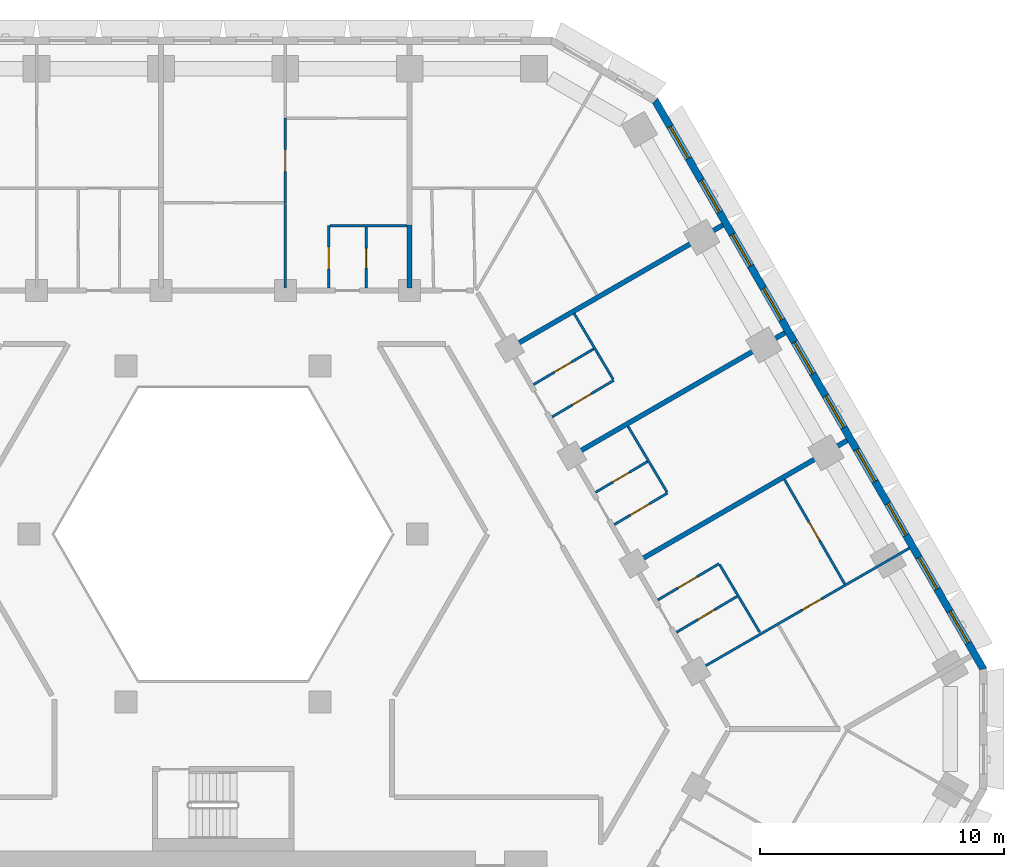
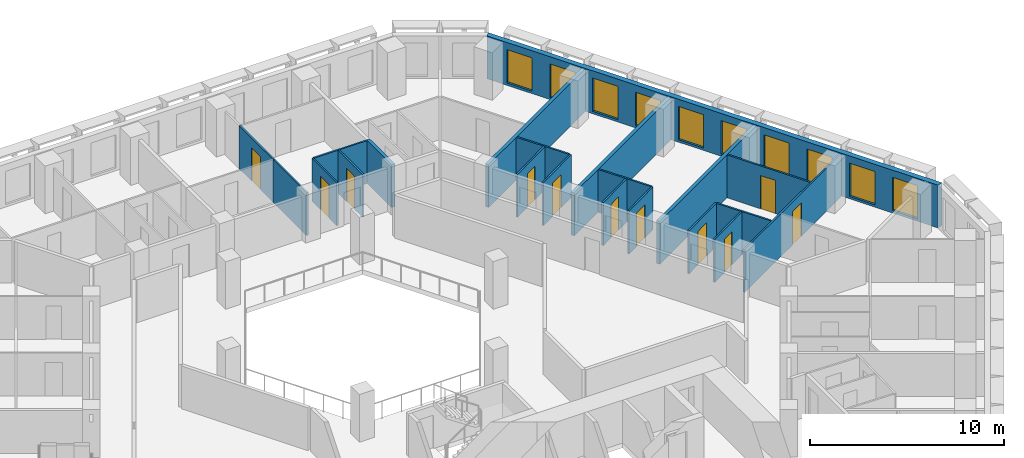
# One storey, part 11 of 21: 21 walls, 11 doors, 10 windows, 21 openings.
"""IFC4 building model written with IfcOpenShell, lengths in metres."""

from ifc_helpers import new_model, si_unit, direction, frame, frame_2d, origin, place, context, subcontext, project, spatial, polyline, rectangle, outline, extrude, material, layer, layer_set, type_object, element, fill, save


model = new_model("IFC4")

# Units and contexts
model_context = context("Model", 3, precision=1e-05, world=origin(), true_north=direction((0.0, 1.0)))
body_context = subcontext(model_context, "Body", "Model", "MODEL_VIEW")
ifc_project = project(units=[si_unit("LENGTHUNIT", "METRE"), si_unit("AREAUNIT", "SQUARE_METRE"), si_unit("VOLUMEUNIT", "CUBIC_METRE"), si_unit("PLANEANGLEUNIT", "RADIAN"), si_unit("MASSUNIT", "GRAM", prefix="KILO")], contexts=[model_context])

# Site, building, storey
site_placement = place(None, origin())
site = spatial("IfcSite", under=ifc_project, at=site_placement, CompositionType="ELEMENT")
building_placement = place(site_placement, origin())
building = spatial("IfcBuilding", under=site, at=building_placement, Name="Beryl Residences", CompositionType="ELEMENT")
storey_placement = place(building_placement, frame((0.0, 0.0, 47.39990234375)))
storey = spatial("IfcBuildingStorey", under=building, at=storey_placement, Name="L14", CompositionType="ELEMENT", Elevation=47.39990234375)

# Wall, openings, windows
ifc_material_1 = material(Name="Composite metal panel with mineral wool insulation")
ifc_layer_1 = layer(ifc_material_1, 0.300048828125)
ifc_layer_set_1 = layer_set([ifc_layer_1], Name="ES1 pale metal composite panel wall 300 mm")
wall_type_1 = type_object("IfcWallType", Name="ES1 pale metal composite panel wall 300 mm", PredefinedType="SOLIDWALL", material=ifc_layer_set_1)
wall_1_placement = place(storey_placement, frame((31.219970703125, 2.425048828125, 0.0), z_axis=(0.0, 0.0, 1.0), x_axis=(-0.500001938803, 0.866024284413, 0.0)))
wall_1 = element("IfcWall", 1, at=wall_1_placement, inside=storey, type_object=wall_type_1, Name="ES1 external wall L14 NE", PredefinedType="SOLIDWALL", context=body_context, shape_type="SweptSolid", body=[
    extrude(outline(polyline([(0.0, -0.14990234375), (27.02001953125, -0.14990234375), (26.939697265625, 0.14990234375), (0.080322265625, 0.14990234375), (0.0, -0.14990234375)])), origin(), (0.0, 0.0, 1.0), 2.7001953125),
])
opening_1_placement = place(wall_1_placement, frame((1.277099609375, 0.0, 0.14990234375)))
opening_1 = element("IfcOpeningElement", 2, at=opening_1_placement, cuts=wall_1, Name="Opening W1", PredefinedType="OPENING", context=body_context, shape_type="SweptSolid", body=[
    extrude(rectangle(XDim=1.5, YDim=2.10009765625, at=frame_2d((0.75, 1.050048828125))), frame((0.0, 0.159912109375, 0.0), z_axis=(0.0, -1.0, 0.0), x_axis=(1.0, 0.0, 0.0)), (0.0, 0.0, 1.0), 0.320068359375),
])
opening_2_placement = place(wall_1_placement, frame((3.8291015625, 0.0, 0.14990234375)))
opening_2 = element("IfcOpeningElement", 3, at=opening_2_placement, cuts=wall_1, Name="Opening W1", PredefinedType="OPENING", context=body_context, shape_type="SweptSolid", body=[
    extrude(rectangle(XDim=1.5, YDim=2.10009765625, at=frame_2d((0.75, 1.050048828125))), frame((0.0, 0.159912109375, 0.0), z_axis=(0.0, -1.0, 0.0), x_axis=(1.0, 0.0, 0.0)), (0.0, 0.0, 1.0), 0.320068359375),
])
opening_3_placement = place(wall_1_placement, frame((6.382080078125, 0.0, 0.14990234375)))
opening_3 = element("IfcOpeningElement", 4, at=opening_3_placement, cuts=wall_1, Name="Opening W1", PredefinedType="OPENING", context=body_context, shape_type="SweptSolid", body=[
    extrude(rectangle(XDim=1.5, YDim=2.10009765625, at=frame_2d((0.75, 1.050048828125))), frame((0.0, 0.159912109375, 0.0), z_axis=(0.0, -1.0, 0.0), x_axis=(1.0, 0.0, 0.0)), (0.0, 0.0, 1.0), 0.320068359375),
])
opening_4_placement = place(wall_1_placement, frame((8.93310546875, 0.0, 0.14990234375)))
opening_4 = element("IfcOpeningElement", 5, at=opening_4_placement, cuts=wall_1, Name="Opening W1", PredefinedType="OPENING", context=body_context, shape_type="SweptSolid", body=[
    extrude(rectangle(XDim=1.5, YDim=2.10009765625, at=frame_2d((0.75, 1.050048828125))), frame((0.0, 0.159912109375, 0.0), z_axis=(0.0, -1.0, 0.0), x_axis=(1.0, 0.0, 0.0)), (0.0, 0.0, 1.0), 0.320068359375),
])
opening_5_placement = place(wall_1_placement, frame((11.485107421875, 0.0, 0.14990234375)))
opening_5 = element("IfcOpeningElement", 6, at=opening_5_placement, cuts=wall_1, Name="Opening W1", PredefinedType="OPENING", context=body_context, shape_type="SweptSolid", body=[
    extrude(rectangle(XDim=1.5, YDim=2.10009765625, at=frame_2d((0.75, 1.050048828125))), frame((0.0, 0.159912109375, 0.0), z_axis=(0.0, -1.0, 0.0), x_axis=(1.0, 0.0, 0.0)), (0.0, 0.0, 1.0), 0.320068359375),
])
opening_6_placement = place(wall_1_placement, frame((14.037109375, 0.0, 0.14990234375)))
opening_6 = element("IfcOpeningElement", 7, at=opening_6_placement, cuts=wall_1, Name="Opening W1", PredefinedType="OPENING", context=body_context, shape_type="SweptSolid", body=[
    extrude(rectangle(XDim=1.5, YDim=2.10009765625, at=frame_2d((0.75, 1.050048828125))), frame((0.0, 0.159912109375, 0.0), z_axis=(0.0, -1.0, 0.0), x_axis=(1.0, 0.0, 0.0)), (0.0, 0.0, 1.0), 0.320068359375),
])
opening_7_placement = place(wall_1_placement, frame((16.589111328125, 0.0, 0.14990234375)))
opening_7 = element("IfcOpeningElement", 8, at=opening_7_placement, cuts=wall_1, Name="Opening W1", PredefinedType="OPENING", context=body_context, shape_type="SweptSolid", body=[
    extrude(rectangle(XDim=1.5, YDim=2.10009765625, at=frame_2d((0.75, 1.050048828125))), frame((0.0, 0.159912109375, 0.0), z_axis=(0.0, -1.0, 0.0), x_axis=(1.0, 0.0, 0.0)), (0.0, 0.0, 1.0), 0.320068359375),
])
opening_8_placement = place(wall_1_placement, frame((19.14111328125, 0.0, 0.14990234375)))
opening_8 = element("IfcOpeningElement", 9, at=opening_8_placement, cuts=wall_1, Name="Opening W1", PredefinedType="OPENING", context=body_context, shape_type="SweptSolid", body=[
    extrude(rectangle(XDim=1.5, YDim=2.10009765625, at=frame_2d((0.75, 1.050048828125))), frame((0.0, 0.159912109375, 0.0), z_axis=(0.0, -1.0, 0.0), x_axis=(1.0, 0.0, 0.0)), (0.0, 0.0, 1.0), 0.320068359375),
])
opening_9_placement = place(wall_1_placement, frame((21.693115234375, 0.0, 0.14990234375)))
opening_9 = element("IfcOpeningElement", 10, at=opening_9_placement, cuts=wall_1, Name="Opening W1", PredefinedType="OPENING", context=body_context, shape_type="SweptSolid", body=[
    extrude(rectangle(XDim=1.5, YDim=2.10009765625, at=frame_2d((0.75, 1.050048828125))), frame((0.0, 0.159912109375, 0.0), z_axis=(0.0, -1.0, 0.0), x_axis=(1.0, 0.0, 0.0)), (0.0, 0.0, 1.0), 0.320068359375),
])
opening_10_placement = place(wall_1_placement, frame((24.243896484375, 0.0, 0.14990234375)))
opening_10 = element("IfcOpeningElement", 11, at=opening_10_placement, cuts=wall_1, Name="Opening W1", PredefinedType="OPENING", context=body_context, shape_type="SweptSolid", body=[
    extrude(rectangle(XDim=1.5, YDim=2.10009765625, at=frame_2d((0.75, 1.050048828125))), frame((0.0, 0.159912109375, 0.0), z_axis=(0.0, -1.0, 0.0), x_axis=(1.0, 0.0, 0.0)), (0.0, 0.0, 1.0), 0.320068359375),
])
ifc_material_2 = material(Name="Aluminium and clear glass", Category="aluminium")
window_type = type_object("IfcWindowType", Name="W1 cell window 1500 x 2100 mm", PartitioningType="SINGLE_PANEL", PredefinedType="WINDOW", material=ifc_material_2)
window_1_placement = place(opening_1_placement, origin())
window_1 = element("IfcWindow", 12, at=window_1_placement, inside=storey, type_object=window_type, Name="W1 window L14 NE 1", OverallHeight=2.10009765625, OverallWidth=1.5, PartitioningType="SINGLE_PANEL", PredefinedType="WINDOW", context=body_context, shape_type="SweptSolid", body=[
    extrude(rectangle(XDim=1.5, YDim=2.10009765625, at=frame_2d((0.75, 1.050048828125))), frame((0.0, 0.030029296875, 0.0), z_axis=(0.0, -1.0, 0.0), x_axis=(1.0, 0.0, 0.0)), (0.0, 0.0, 1.0), 0.06005859375),
])
fill(opening_1, window_1)
window_2_placement = place(opening_2_placement, origin())
window_2 = element("IfcWindow", 13, at=window_2_placement, inside=storey, type_object=window_type, Name="W1 window L14 NE 2", OverallHeight=2.10009765625, OverallWidth=1.5, PartitioningType="SINGLE_PANEL", PredefinedType="WINDOW", context=body_context, shape_type="SweptSolid", body=[
    extrude(rectangle(XDim=1.5, YDim=2.10009765625, at=frame_2d((0.75, 1.050048828125))), frame((0.0, 0.030029296875, 0.0), z_axis=(0.0, -1.0, 0.0), x_axis=(1.0, 0.0, 0.0)), (0.0, 0.0, 1.0), 0.06005859375),
])
fill(opening_2, window_2)
window_3_placement = place(opening_3_placement, origin())
window_3 = element("IfcWindow", 14, at=window_3_placement, inside=storey, type_object=window_type, Name="W1 window L14 NE 3", OverallHeight=2.10009765625, OverallWidth=1.5, PartitioningType="SINGLE_PANEL", PredefinedType="WINDOW", context=body_context, shape_type="SweptSolid", body=[
    extrude(rectangle(XDim=1.5, YDim=2.10009765625, at=frame_2d((0.75, 1.050048828125))), frame((0.0, 0.030029296875, 0.0), z_axis=(0.0, -1.0, 0.0), x_axis=(1.0, 0.0, 0.0)), (0.0, 0.0, 1.0), 0.06005859375),
])
fill(opening_3, window_3)
window_4_placement = place(opening_4_placement, origin())
window_4 = element("IfcWindow", 15, at=window_4_placement, inside=storey, type_object=window_type, Name="W1 window L14 NE 4", OverallHeight=2.10009765625, OverallWidth=1.5, PartitioningType="SINGLE_PANEL", PredefinedType="WINDOW", context=body_context, shape_type="SweptSolid", body=[
    extrude(rectangle(XDim=1.5, YDim=2.10009765625, at=frame_2d((0.75, 1.050048828125))), frame((0.0, 0.030029296875, 0.0), z_axis=(0.0, -1.0, 0.0), x_axis=(1.0, 0.0, 0.0)), (0.0, 0.0, 1.0), 0.06005859375),
])
fill(opening_4, window_4)
window_5_placement = place(opening_5_placement, origin())
window_5 = element("IfcWindow", 16, at=window_5_placement, inside=storey, type_object=window_type, Name="W1 window L14 NE 5", OverallHeight=2.10009765625, OverallWidth=1.5, PartitioningType="SINGLE_PANEL", PredefinedType="WINDOW", context=body_context, shape_type="SweptSolid", body=[
    extrude(rectangle(XDim=1.5, YDim=2.10009765625, at=frame_2d((0.75, 1.050048828125))), frame((0.0, 0.030029296875, 0.0), z_axis=(0.0, -1.0, 0.0), x_axis=(1.0, 0.0, 0.0)), (0.0, 0.0, 1.0), 0.06005859375),
])
fill(opening_5, window_5)
window_6_placement = place(opening_6_placement, origin())
window_6 = element("IfcWindow", 17, at=window_6_placement, inside=storey, type_object=window_type, Name="W1 window L14 NE 6", OverallHeight=2.10009765625, OverallWidth=1.5, PartitioningType="SINGLE_PANEL", PredefinedType="WINDOW", context=body_context, shape_type="SweptSolid", body=[
    extrude(rectangle(XDim=1.5, YDim=2.10009765625, at=frame_2d((0.75, 1.050048828125))), frame((0.0, 0.030029296875, 0.0), z_axis=(0.0, -1.0, 0.0), x_axis=(1.0, 0.0, 0.0)), (0.0, 0.0, 1.0), 0.06005859375),
])
fill(opening_6, window_6)
window_7_placement = place(opening_7_placement, origin())
window_7 = element("IfcWindow", 18, at=window_7_placement, inside=storey, type_object=window_type, Name="W1 window L14 NE 7", OverallHeight=2.10009765625, OverallWidth=1.5, PartitioningType="SINGLE_PANEL", PredefinedType="WINDOW", context=body_context, shape_type="SweptSolid", body=[
    extrude(rectangle(XDim=1.5, YDim=2.10009765625, at=frame_2d((0.75, 1.050048828125))), frame((0.0, 0.030029296875, 0.0), z_axis=(0.0, -1.0, 0.0), x_axis=(1.0, 0.0, 0.0)), (0.0, 0.0, 1.0), 0.06005859375),
])
fill(opening_7, window_7)
window_8_placement = place(opening_8_placement, origin())
window_8 = element("IfcWindow", 19, at=window_8_placement, inside=storey, type_object=window_type, Name="W1 window L14 NE 8", OverallHeight=2.10009765625, OverallWidth=1.5, PartitioningType="SINGLE_PANEL", PredefinedType="WINDOW", context=body_context, shape_type="SweptSolid", body=[
    extrude(rectangle(XDim=1.5, YDim=2.10009765625, at=frame_2d((0.75, 1.050048828125))), frame((0.0, 0.030029296875, 0.0), z_axis=(0.0, -1.0, 0.0), x_axis=(1.0, 0.0, 0.0)), (0.0, 0.0, 1.0), 0.06005859375),
])
fill(opening_8, window_8)
window_9_placement = place(opening_9_placement, origin())
window_9 = element("IfcWindow", 20, at=window_9_placement, inside=storey, type_object=window_type, Name="W1 window L14 NE 9", OverallHeight=2.10009765625, OverallWidth=1.5, PartitioningType="SINGLE_PANEL", PredefinedType="WINDOW", context=body_context, shape_type="SweptSolid", body=[
    extrude(rectangle(XDim=1.5, YDim=2.10009765625, at=frame_2d((0.75, 1.050048828125))), frame((0.0, 0.030029296875, 0.0), z_axis=(0.0, -1.0, 0.0), x_axis=(1.0, 0.0, 0.0)), (0.0, 0.0, 1.0), 0.06005859375),
])
fill(opening_9, window_9)
window_10_placement = place(opening_10_placement, origin())
window_10 = element("IfcWindow", 21, at=window_10_placement, inside=storey, type_object=window_type, Name="W1 window L14 NE 10", OverallHeight=2.10009765625, OverallWidth=1.5, PartitioningType="SINGLE_PANEL", PredefinedType="WINDOW", context=body_context, shape_type="SweptSolid", body=[
    extrude(rectangle(XDim=1.5, YDim=2.10009765625, at=frame_2d((0.75, 1.050048828125))), frame((0.0, 0.030029296875, 0.0), z_axis=(0.0, -1.0, 0.0), x_axis=(1.0, 0.0, 0.0)), (0.0, 0.0, 1.0), 0.06005859375),
])
fill(opening_10, window_10)

# Walls
ifc_material_3 = material(Name="Gypsum board partition on steel studs", Category="steel")
ifc_layer_2 = layer(ifc_material_3, 0.10009765625)
ifc_layer_set_2 = layer_set([ifc_layer_2], Name="PT1 partition 100 mm gypsum board on steel studs")
wall_type_2 = type_object("IfcWallType", Name="PT1 partition 100 mm gypsum board on steel studs", PredefinedType="PARTITIONING", material=ifc_layer_set_2)
wall_2_placement = place(storey_placement, frame((16.614990234375, 12.425048828125, 0.0), z_axis=(0.0, 0.0, 1.0), x_axis=(0.510241930604, -0.860030913546, 0.0)))
element("IfcWall", 22, at=wall_2_placement, inside=storey, type_object=wall_type_2, Name="Wall PT1 L14 001", PredefinedType="PARTITIONING", context=body_context, shape_type="SweptSolid", body=[
    extrude(rectangle(XDim=3.135986328125, YDim=0.10009765625, at=frame_2d((1.56787109375, 0.0))), origin(), (0.0, 0.0, 1.0), 2.7001953125),
])
wall_3_placement = place(storey_placement, frame((20.381103515625, 6.740966796875, 0.0), z_axis=(0.0, 0.0, 1.0), x_axis=(0.510224755389, -0.860041103081, 0.0)))
element("IfcWall", 23, at=wall_3_placement, inside=storey, type_object=wall_type_2, Name="Wall PT1 L14 002", PredefinedType="PARTITIONING", context=body_context, shape_type="SweptSolid", body=[
    extrude(rectangle(XDim=3.216064453125, YDim=0.10009765625, at=frame_2d((1.60791015625, 0.0))), origin(), (0.0, 0.0, 1.0), 2.7001953125),
])
wall_4_placement = place(storey_placement, frame((14.408935546875, 17.044921875, 0.0), z_axis=(0.0, 0.0, 1.0), x_axis=(0.510362209222, -0.859959542884, 0.0)))
element("IfcWall", 24, at=wall_4_placement, inside=storey, type_object=wall_type_2, Name="Wall PT1 L14 003", PredefinedType="PARTITIONING", context=body_context, shape_type="SweptSolid", body=[
    extrude(rectangle(XDim=3.13134765625, YDim=0.10009765625, at=frame_2d((1.565673828125, 0.0))), origin(), (0.0, 0.0, 1.0), 2.7001953125),
])

# Wall, opening, door
wall_5_placement = place(storey_placement, frame((23.037109375, 10.239990234375, 0.0), z_axis=(0.0, 0.0, 1.0), x_axis=(0.499907296314, -0.866078919667, 0.0)))
wall_5 = element("IfcWall", 25, at=wall_5_placement, inside=storey, type_object=wall_type_2, Name="Wall PT1 L14 007", PredefinedType="PARTITIONING", context=body_context, shape_type="SweptSolid", body=[
    extrude(rectangle(XDim=4.95458984375, YDim=0.10009765625, at=frame_2d((2.477294921875, 0.0))), origin(), (0.0, 0.0, 1.0), 2.7001953125),
])
opening_11_placement = place(wall_5_placement, frame((2.001953125, 0.0, 0.0)))
opening_11 = element("IfcOpeningElement", 26, at=opening_11_placement, cuts=wall_5, Name="Opening D0254", PredefinedType="OPENING", context=body_context, shape_type="SweptSolid", body=[
    extrude(rectangle(XDim=0.89990234375, YDim=2.10009765625, at=frame_2d((0.449951171875, 1.050048828125))), frame((0.0, 0.06005859375, 0.0), z_axis=(0.0, -1.0, 0.0), x_axis=(1.0, 0.0, 0.0)), (0.0, 0.0, 1.0), 0.1201171875),
])
ifc_material_4 = material(Name="Timber door leaf", Category="wood")
door_type_1 = type_object("IfcDoorType", Name="D2 room door 900 x 2100 mm", OperationType="SINGLE_SWING_LEFT", PredefinedType="DOOR", material=ifc_material_4)
door_1_placement = place(opening_11_placement, origin())
door_1 = element("IfcDoor", 27, at=door_1_placement, inside=storey, type_object=door_type_1, Name="Door D0254 L14 001", OperationType="SINGLE_SWING_RIGHT", OverallHeight=2.10009765625, OverallWidth=0.89990234375, PredefinedType="DOOR", context=body_context, shape_type="SweptSolid", body=[
    extrude(rectangle(XDim=0.89990234375, YDim=2.10009765625, at=frame_2d((0.449951171875, 1.050048828125))), frame((0.0, 0.02490234375, 0.0), z_axis=(0.0, -1.0, 0.0), x_axis=(1.0, 0.0, 0.0)), (0.0, 0.0, 1.0), 0.050048828125),
])
fill(opening_11, door_1)

# Walls
wall_6_placement = place(storey_placement, frame((2.551025390625, 21.570068359375, 0.0), z_axis=(0.0, 0.0, 1.0), x_axis=(0.0, -1.0, 0.0)))
element("IfcWall", 28, at=wall_6_placement, inside=storey, type_object=wall_type_2, Name="Wall PT1 L14 014", PredefinedType="PARTITIONING", context=body_context, shape_type="SweptSolid", body=[
    extrude(rectangle(XDim=3.469970703125, YDim=0.10009765625, at=frame_2d((1.73486328125, 0.0))), origin(), (0.0, 0.0, 1.0), 2.7001953125),
])
wall_7_placement = place(storey_placement, frame((4.387939453125, 20.659912109375, 0.0), z_axis=(0.0, 0.0, 1.0), x_axis=(1.0, 0.0, 0.0)))
element("IfcWall", 29, at=wall_7_placement, inside=storey, type_object=wall_type_2, Name="Wall PT1 L14 035", PredefinedType="PARTITIONING", context=body_context, shape_type="SweptSolid", body=[
    extrude(rectangle(XDim=3.1669921875, YDim=0.10009765625, at=frame_2d((1.58349609375, 0.0))), origin(), (0.0, 0.0, 1.0), 2.7001953125),
])

# Wall, opening, door
wall_8_placement = place(storey_placement, frame((4.3369140625, 18.10009765625, 0.0), z_axis=(0.0, 0.0, 1.0), x_axis=(0.0, 1.0, 0.0)))
wall_8 = element("IfcWall", 30, at=wall_8_placement, inside=storey, type_object=wall_type_2, Name="Wall PT1 L14 046", PredefinedType="PARTITIONING", context=body_context, shape_type="SweptSolid", body=[
    extrude(rectangle(XDim=2.558837890625, YDim=0.10009765625, at=frame_2d((1.279296875, 0.0))), origin(), (0.0, 0.0, 1.0), 2.7001953125),
])
opening_12_placement = place(wall_8_placement, frame((0.780029296875, 0.0, 0.0)))
opening_12 = element("IfcOpeningElement", 31, at=opening_12_placement, cuts=wall_8, Name="Opening D0270", PredefinedType="OPENING", context=body_context, shape_type="SweptSolid", body=[
    extrude(rectangle(XDim=0.89990234375, YDim=2.10009765625, at=frame_2d((0.449951171875, 1.050048828125))), frame((0.0, 0.06005859375, 0.0), z_axis=(0.0, -1.0, 0.0), x_axis=(1.0, 0.0, 0.0)), (0.0, 0.0, 1.0), 0.1201171875),
])
door_2_placement = place(opening_12_placement, origin())
door_2 = element("IfcDoor", 32, at=door_2_placement, inside=storey, type_object=door_type_1, Name="Door D0270 L14 001", OperationType="SINGLE_SWING_RIGHT", OverallHeight=2.10009765625, OverallWidth=0.89990234375, PredefinedType="DOOR", context=body_context, shape_type="SweptSolid", body=[
    extrude(rectangle(XDim=0.89990234375, YDim=2.10009765625, at=frame_2d((0.449951171875, 1.050048828125))), frame((0.0, 0.02490234375, 0.0), z_axis=(0.0, -1.0, 0.0), x_axis=(1.0, 0.0, 0.0)), (0.0, 0.0, 1.0), 0.050048828125),
])
fill(opening_12, door_2)

wall_9_placement = place(storey_placement, frame((5.868896484375, 18.10009765625, 0.0), z_axis=(0.0, 0.0, 1.0), x_axis=(0.0, 1.0, 0.0)))
wall_9 = element("IfcWall", 33, at=wall_9_placement, inside=storey, type_object=wall_type_2, Name="Wall PT1 L14 047", PredefinedType="PARTITIONING", context=body_context, shape_type="SweptSolid", body=[
    extrude(rectangle(XDim=2.510009765625, YDim=0.10009765625, at=frame_2d((1.2548828125, 0.0))), origin(), (0.0, 0.0, 1.0), 2.7001953125),
])
opening_13_placement = place(wall_9_placement, frame((0.830078125, 0.0, 0.0)))
opening_13 = element("IfcOpeningElement", 34, at=opening_13_placement, cuts=wall_9, Name="Opening D0271", PredefinedType="OPENING", context=body_context, shape_type="SweptSolid", body=[
    extrude(rectangle(XDim=0.800048828125, YDim=2.10009765625, at=frame_2d((0.39990234375, 1.050048828125))), frame((0.0, 0.06005859375, 0.0), z_axis=(0.0, -1.0, 0.0), x_axis=(1.0, 0.0, 0.0)), (0.0, 0.0, 1.0), 0.1201171875),
])
ifc_material_5 = material(Name="Timber door leaf", Category="wood")
door_type_2 = type_object("IfcDoorType", Name="D3 bathroom door 800 x 2100 mm", OperationType="SINGLE_SWING_LEFT", PredefinedType="DOOR", material=ifc_material_5)
door_3_placement = place(opening_13_placement, origin())
door_3 = element("IfcDoor", 35, at=door_3_placement, inside=storey, type_object=door_type_2, Name="Door D0271 L14 001", OperationType="SINGLE_SWING_LEFT", OverallHeight=2.10009765625, OverallWidth=0.800048828125, PredefinedType="DOOR", context=body_context, shape_type="SweptSolid", body=[
    extrude(rectangle(XDim=0.800048828125, YDim=2.10009765625, at=frame_2d((0.39990234375, 1.050048828125))), frame((0.0, 0.02490234375, 0.0), z_axis=(0.0, -1.0, 0.0), x_axis=(1.0, 0.0, 0.0)), (0.0, 0.0, 1.0), 0.050048828125),
])
fill(opening_13, door_3)

wall_10_placement = place(storey_placement, frame((2.551025390625, 21.580078125, 0.0), z_axis=(0.0, 0.0, 1.0), x_axis=(0.0, 1.0, 0.0)))
wall_10 = element("IfcWall", 36, at=wall_10_placement, inside=storey, type_object=wall_type_2, Name="Wall PT1 L14 054", PredefinedType="PARTITIONING", context=body_context, shape_type="SweptSolid", body=[
    extrude(rectangle(XDim=3.489990234375, YDim=0.10009765625, at=frame_2d((1.7451171875, 0.0))), origin(), (0.0, 0.0, 1.0), 2.7001953125),
])
opening_14_placement = place(wall_10_placement, frame((1.294921875, 0.0, 0.0)))
opening_14 = element("IfcOpeningElement", 37, at=opening_14_placement, cuts=wall_10, Name="Opening D0273", PredefinedType="OPENING", context=body_context, shape_type="SweptSolid", body=[
    extrude(rectangle(XDim=0.89990234375, YDim=2.10009765625, at=frame_2d((0.449951171875, 1.050048828125))), frame((0.0, 0.06005859375, 0.0), z_axis=(0.0, -1.0, 0.0), x_axis=(1.0, 0.0, 0.0)), (0.0, 0.0, 1.0), 0.1201171875),
])
door_4_placement = place(opening_14_placement, origin())
door_4 = element("IfcDoor", 38, at=door_4_placement, inside=storey, type_object=door_type_1, Name="Door D0273 L14 001", OperationType="SINGLE_SWING_LEFT", OverallHeight=2.10009765625, OverallWidth=0.89990234375, PredefinedType="DOOR", context=body_context, shape_type="SweptSolid", body=[
    extrude(rectangle(XDim=0.89990234375, YDim=2.10009765625, at=frame_2d((0.449951171875, 1.050048828125))), frame((0.0, 0.02490234375, 0.0), z_axis=(0.0, -1.0, 0.0), x_axis=(1.0, 0.0, 0.0)), (0.0, 0.0, 1.0), 0.050048828125),
])
fill(opening_14, door_4)

wall_11_placement = place(storey_placement, frame((19.5029296875, 2.4208984375, 0.0), z_axis=(0.0, 0.0, 1.0), x_axis=(0.866065245018, 0.499930986609, 0.0)))
wall_11 = element("IfcWall", 39, at=wall_11_placement, inside=storey, type_object=wall_type_2, Name="Wall PT1 L14 065", PredefinedType="PARTITIONING", context=body_context, shape_type="SweptSolid", body=[
    extrude(rectangle(XDim=9.99951171875, YDim=0.10009765625, at=frame_2d((4.999755859375, 0.0))), origin(), (0.0, 0.0, 1.0), 2.7001953125),
])
opening_15_placement = place(wall_11_placement, frame((4.931884765625, 0.0, 0.0)))
opening_15 = element("IfcOpeningElement", 40, at=opening_15_placement, cuts=wall_11, Name="Opening D0255", PredefinedType="OPENING", context=body_context, shape_type="SweptSolid", body=[
    extrude(rectangle(XDim=0.89990234375, YDim=2.10009765625, at=frame_2d((0.449951171875, 1.050048828125))), frame((0.0, 0.06005859375, 0.0), z_axis=(0.0, -1.0, 0.0), x_axis=(1.0, 0.0, 0.0)), (0.0, 0.0, 1.0), 0.1201171875),
])
door_5_placement = place(opening_15_placement, origin())
door_5 = element("IfcDoor", 41, at=door_5_placement, inside=storey, type_object=door_type_1, Name="Door D0255 L14 001", OperationType="SINGLE_SWING_LEFT", OverallHeight=2.10009765625, OverallWidth=0.89990234375, PredefinedType="DOOR", context=body_context, shape_type="SweptSolid", body=[
    extrude(rectangle(XDim=0.89990234375, YDim=2.10009765625, at=frame_2d((0.449951171875, 1.050048828125))), frame((0.0, 0.02490234375, 0.0), z_axis=(0.0, -1.0, 0.0), x_axis=(1.0, 0.0, 0.0)), (0.0, 0.0, 1.0), 0.050048828125),
])
fill(opening_15, door_5)

wall_12_placement = place(storey_placement, frame((17.843017578125, 5.294921875, 0.0), z_axis=(0.0, 0.0, 1.0), x_axis=(0.860078277555, 0.510162088436, 0.0)))
wall_12 = element("IfcWall", 42, at=wall_12_placement, inside=storey, type_object=wall_type_2, Name="Wall PT1 L14 069", PredefinedType="PARTITIONING", context=body_context, shape_type="SweptSolid", body=[
    extrude(rectangle(XDim=2.920654296875, YDim=0.10009765625, at=frame_2d((1.46044921875, 0.0))), origin(), (0.0, 0.0, 1.0), 2.7001953125),
])
opening_16_placement = place(wall_12_placement, frame((0.9599609375, 0.0, 0.0)))
opening_16 = element("IfcOpeningElement", 43, at=opening_16_placement, cuts=wall_12, Name="Opening D0252", PredefinedType="OPENING", context=body_context, shape_type="SweptSolid", body=[
    extrude(rectangle(XDim=0.89990234375, YDim=2.10009765625, at=frame_2d((0.449951171875, 1.050048828125))), frame((0.0, 0.06005859375, 0.0), z_axis=(0.0, -1.0, 0.0), x_axis=(1.0, 0.0, 0.0)), (0.0, 0.0, 1.0), 0.1201171875),
])
door_6_placement = place(opening_16_placement, origin())
door_6 = element("IfcDoor", 44, at=door_6_placement, inside=storey, type_object=door_type_1, Name="Door D0252 L14 001", OperationType="SINGLE_SWING_RIGHT", OverallHeight=2.10009765625, OverallWidth=0.89990234375, PredefinedType="DOOR", context=body_context, shape_type="SweptSolid", body=[
    extrude(rectangle(XDim=0.89990234375, YDim=2.10009765625, at=frame_2d((0.449951171875, 1.050048828125))), frame((0.0, 0.02490234375, 0.0), z_axis=(0.0, -1.0, 0.0), x_axis=(1.0, 0.0, 0.0)), (0.0, 0.0, 1.0), 0.050048828125),
])
fill(opening_16, door_6)

wall_13_placement = place(storey_placement, frame((18.60888671875, 3.968994140625, 0.0), z_axis=(0.0, 0.0, 1.0), x_axis=(0.860254465905, 0.50986493691, 0.0)))
wall_13 = element("IfcWall", 45, at=wall_13_placement, inside=storey, type_object=wall_type_2, Name="Wall PT1 L14 070", PredefinedType="PARTITIONING", context=body_context, shape_type="SweptSolid", body=[
    extrude(rectangle(XDim=2.888916015625, YDim=0.10009765625, at=frame_2d((1.4443359375, 0.0))), origin(), (0.0, 0.0, 1.0), 2.7001953125),
])
opening_17_placement = place(wall_13_placement, frame((1.01904296875, 0.0, 0.0)))
opening_17 = element("IfcOpeningElement", 46, at=opening_17_placement, cuts=wall_13, Name="Opening D0253", PredefinedType="OPENING", context=body_context, shape_type="SweptSolid", body=[
    extrude(rectangle(XDim=0.800048828125, YDim=2.10009765625, at=frame_2d((0.39990234375, 1.050048828125))), frame((0.0, 0.06005859375, 0.0), z_axis=(0.0, -1.0, 0.0), x_axis=(1.0, 0.0, 0.0)), (0.0, 0.0, 1.0), 0.1201171875),
])
door_7_placement = place(opening_17_placement, origin())
door_7 = element("IfcDoor", 47, at=door_7_placement, inside=storey, type_object=door_type_2, Name="Door D0253 L14 001", OperationType="SINGLE_SWING_LEFT", OverallHeight=2.10009765625, OverallWidth=0.800048828125, PredefinedType="DOOR", context=body_context, shape_type="SweptSolid", body=[
    extrude(rectangle(XDim=0.800048828125, YDim=2.10009765625, at=frame_2d((0.39990234375, 1.050048828125))), frame((0.0, 0.02490234375, 0.0), z_axis=(0.0, -1.0, 0.0), x_axis=(1.0, 0.0, 0.0)), (0.0, 0.0, 1.0), 0.050048828125),
])
fill(opening_17, door_7)

wall_14_placement = place(storey_placement, frame((16.056884765625, 8.388916015625, 0.0), z_axis=(0.0, 0.0, 1.0), x_axis=(0.860036770423, 0.510232058499, 0.0)))
wall_14 = element("IfcWall", 48, at=wall_14_placement, inside=storey, type_object=wall_type_2, Name="Wall PT1 L14 071", PredefinedType="PARTITIONING", context=body_context, shape_type="SweptSolid", body=[
    extrude(rectangle(XDim=2.538330078125, YDim=0.10009765625, at=frame_2d((1.26904296875, 0.0))), origin(), (0.0, 0.0, 1.0), 2.7001953125),
])
opening_18_placement = place(wall_14_placement, frame((0.76904296875, 0.0, 0.0)))
opening_18 = element("IfcOpeningElement", 49, at=opening_18_placement, cuts=wall_14, Name="Opening D0258", PredefinedType="OPENING", context=body_context, shape_type="SweptSolid", body=[
    extrude(rectangle(XDim=0.89990234375, YDim=2.10009765625, at=frame_2d((0.449951171875, 1.050048828125))), frame((0.0, 0.06005859375, 0.0), z_axis=(0.0, -1.0, 0.0), x_axis=(1.0, 0.0, 0.0)), (0.0, 0.0, 1.0), 0.1201171875),
])
door_8_placement = place(opening_18_placement, origin())
door_8 = element("IfcDoor", 50, at=door_8_placement, inside=storey, type_object=door_type_1, Name="Door D0258 L14 001", OperationType="SINGLE_SWING_RIGHT", OverallHeight=2.10009765625, OverallWidth=0.89990234375, PredefinedType="DOOR", context=body_context, shape_type="SweptSolid", body=[
    extrude(rectangle(XDim=0.89990234375, YDim=2.10009765625, at=frame_2d((0.449951171875, 1.050048828125))), frame((0.0, 0.02490234375, 0.0), z_axis=(0.0, -1.0, 0.0), x_axis=(1.0, 0.0, 0.0)), (0.0, 0.0, 1.0), 0.050048828125),
])
fill(opening_18, door_8)

wall_15_placement = place(storey_placement, frame((13.5048828125, 12.80908203125, 0.0), z_axis=(0.0, 0.0, 1.0), x_axis=(0.860070102739, 0.510175870043, 0.0)))
wall_15 = element("IfcWall", 51, at=wall_15_placement, inside=storey, type_object=wall_type_2, Name="Wall PT1 L14 072", PredefinedType="PARTITIONING", context=body_context, shape_type="SweptSolid", body=[
    extrude(rectangle(XDim=2.938232421875, YDim=0.10009765625, at=frame_2d((1.46923828125, 0.0))), origin(), (0.0, 0.0, 1.0), 2.7001953125),
])
opening_19_placement = place(wall_15_placement, frame((0.968994140625, 0.0, 0.0)))
opening_19 = element("IfcOpeningElement", 52, at=opening_19_placement, cuts=wall_15, Name="Opening D0261", PredefinedType="OPENING", context=body_context, shape_type="SweptSolid", body=[
    extrude(rectangle(XDim=0.89990234375, YDim=2.10009765625, at=frame_2d((0.449951171875, 1.050048828125))), frame((0.0, 0.06005859375, 0.0), z_axis=(0.0, -1.0, 0.0), x_axis=(1.0, 0.0, 0.0)), (0.0, 0.0, 1.0), 0.1201171875),
])
door_9_placement = place(opening_19_placement, origin())
door_9 = element("IfcDoor", 53, at=door_9_placement, inside=storey, type_object=door_type_1, Name="Door D0261 L14 001", OperationType="SINGLE_SWING_LEFT", OverallHeight=2.10009765625, OverallWidth=0.89990234375, PredefinedType="DOOR", context=body_context, shape_type="SweptSolid", body=[
    extrude(rectangle(XDim=0.89990234375, YDim=2.10009765625, at=frame_2d((0.449951171875, 1.050048828125))), frame((0.0, 0.02490234375, 0.0), z_axis=(0.0, -1.0, 0.0), x_axis=(1.0, 0.0, 0.0)), (0.0, 0.0, 1.0), 0.050048828125),
])
fill(opening_19, door_9)

wall_16_placement = place(storey_placement, frame((12.739013671875, 14.135009765625, 0.0), z_axis=(0.0, 0.0, 1.0), x_axis=(0.860077414703, 0.510163543109, 0.0)))
wall_16 = element("IfcWall", 54, at=wall_16_placement, inside=storey, type_object=wall_type_2, Name="Wall PT1 L14 073", PredefinedType="PARTITIONING", context=body_context, shape_type="SweptSolid", body=[
    extrude(rectangle(XDim=2.871826171875, YDim=0.10009765625, at=frame_2d((1.43603515625, 0.0))), origin(), (0.0, 0.0, 1.0), 2.7001953125),
])
opening_20_placement = place(wall_16_placement, frame((1.010009765625, 0.0, 0.0)))
opening_20 = element("IfcOpeningElement", 55, at=opening_20_placement, cuts=wall_16, Name="Opening D0262", PredefinedType="OPENING", context=body_context, shape_type="SweptSolid", body=[
    extrude(rectangle(XDim=0.800048828125, YDim=2.10009765625, at=frame_2d((0.39990234375, 1.050048828125))), frame((0.0, 0.06005859375, 0.0), z_axis=(0.0, -1.0, 0.0), x_axis=(1.0, 0.0, 0.0)), (0.0, 0.0, 1.0), 0.1201171875),
])
door_10_placement = place(opening_20_placement, origin())
door_10 = element("IfcDoor", 56, at=door_10_placement, inside=storey, type_object=door_type_2, Name="Door D0262 L14 001", OperationType="SINGLE_SWING_RIGHT", OverallHeight=2.10009765625, OverallWidth=0.800048828125, PredefinedType="DOOR", context=body_context, shape_type="SweptSolid", body=[
    extrude(rectangle(XDim=0.800048828125, YDim=2.10009765625, at=frame_2d((0.39990234375, 1.050048828125))), frame((0.0, 0.02490234375, 0.0), z_axis=(0.0, -1.0, 0.0), x_axis=(1.0, 0.0, 0.0)), (0.0, 0.0, 1.0), 0.050048828125),
])
fill(opening_20, door_10)

wall_17_placement = place(storey_placement, frame((15.291015625, 9.715087890625, 0.0), z_axis=(0.0, 0.0, 1.0), x_axis=(0.860087708271, 0.510146188932, 0.0)))
wall_17 = element("IfcWall", 57, at=wall_17_placement, inside=storey, type_object=wall_type_2, Name="Wall PT1 L14 074", PredefinedType="PARTITIONING", context=body_context, shape_type="SweptSolid", body=[
    extrude(rectangle(XDim=2.471923828125, YDim=0.10009765625, at=frame_2d((1.23583984375, 0.0))), origin(), (0.0, 0.0, 1.0), 2.7001953125),
])
opening_21_placement = place(wall_17_placement, frame((0.81005859375, 0.0, 0.0)))
opening_21 = element("IfcOpeningElement", 58, at=opening_21_placement, cuts=wall_17, Name="Opening D0259", PredefinedType="OPENING", context=body_context, shape_type="SweptSolid", body=[
    extrude(rectangle(XDim=0.800048828125, YDim=2.10009765625, at=frame_2d((0.39990234375, 1.050048828125))), frame((0.0, 0.06005859375, 0.0), z_axis=(0.0, -1.0, 0.0), x_axis=(1.0, 0.0, 0.0)), (0.0, 0.0, 1.0), 0.1201171875),
])
door_11_placement = place(opening_21_placement, origin())
door_11 = element("IfcDoor", 59, at=door_11_placement, inside=storey, type_object=door_type_2, Name="Door D0259 L14 001", OperationType="SINGLE_SWING_LEFT", OverallHeight=2.10009765625, OverallWidth=0.800048828125, PredefinedType="DOOR", context=body_context, shape_type="SweptSolid", body=[
    extrude(rectangle(XDim=0.800048828125, YDim=2.10009765625, at=frame_2d((0.39990234375, 1.050048828125))), frame((0.0, 0.02490234375, 0.0), z_axis=(0.0, -1.0, 0.0), x_axis=(1.0, 0.0, 0.0)), (0.0, 0.0, 1.0), 0.050048828125),
])
fill(opening_21, door_11)

# Walls
ifc_material_6 = material(Name="Acoustic double stud gypsum board wall")
ifc_layer_3 = layer(ifc_material_6, 0.199951171875)
ifc_layer_set_3 = layer_set([ifc_layer_3], Name="PT3 party wall 200 mm acoustic double stud")
wall_type_3 = type_object("IfcWallType", Name="PT3 party wall 200 mm acoustic double stud", PredefinedType="PARTITIONING", material=ifc_layer_set_3)
wall_18_placement = place(storey_placement, frame((7.655029296875, 20.679931640625, 0.0), z_axis=(0.0, 0.0, 1.0), x_axis=(0.0, -1.0, 0.0)))
element("IfcWall", 60, at=wall_18_placement, inside=storey, type_object=wall_type_3, Name="Wall PT3 L14 005", PredefinedType="PARTITIONING", context=body_context, shape_type="SweptSolid", body=[
    extrude(rectangle(XDim=2.579833984375, YDim=0.199951171875, at=frame_2d((1.2900390625, 0.0))), origin(), (0.0, 0.0, 1.0), 2.7001953125),
])
for number, where, z_axis, x_axis, name in (
    (61, (16.949951171875, 6.841064453125, 0.0), (0.0, 0.0, 1.0), (0.866022959057, 0.500004234368, 0.0), "Wall PT3 L14 026"),
    (62, (11.846923828125, 15.680908203125, 0.0), (0.0, 0.0, 1.0), (0.866022959057, 0.500004234368, 0.0), "Wall PT3 L14 027"),
    (63, (14.39892578125, 11.260986328125, 0.0), (0.0, 0.0, 1.0), (0.866022959057, 0.500004234368, 0.0), "Wall PT3 L14 029"),
):
    element("IfcWall", number, at=place(storey_placement, frame(where, z_axis=z_axis, x_axis=x_axis)), inside=storey, type_object=wall_type_3, Name=name, PredefinedType="PARTITIONING", context=body_context, shape_type="SweptSolid", body=[
        extrude(rectangle(XDim=10.0, YDim=0.199951171875, at=frame_2d((5.0, 0.0))), origin(), (0.0, 0.0, 1.0), 2.7001953125),
    ])

save(model, "model.ifc")
